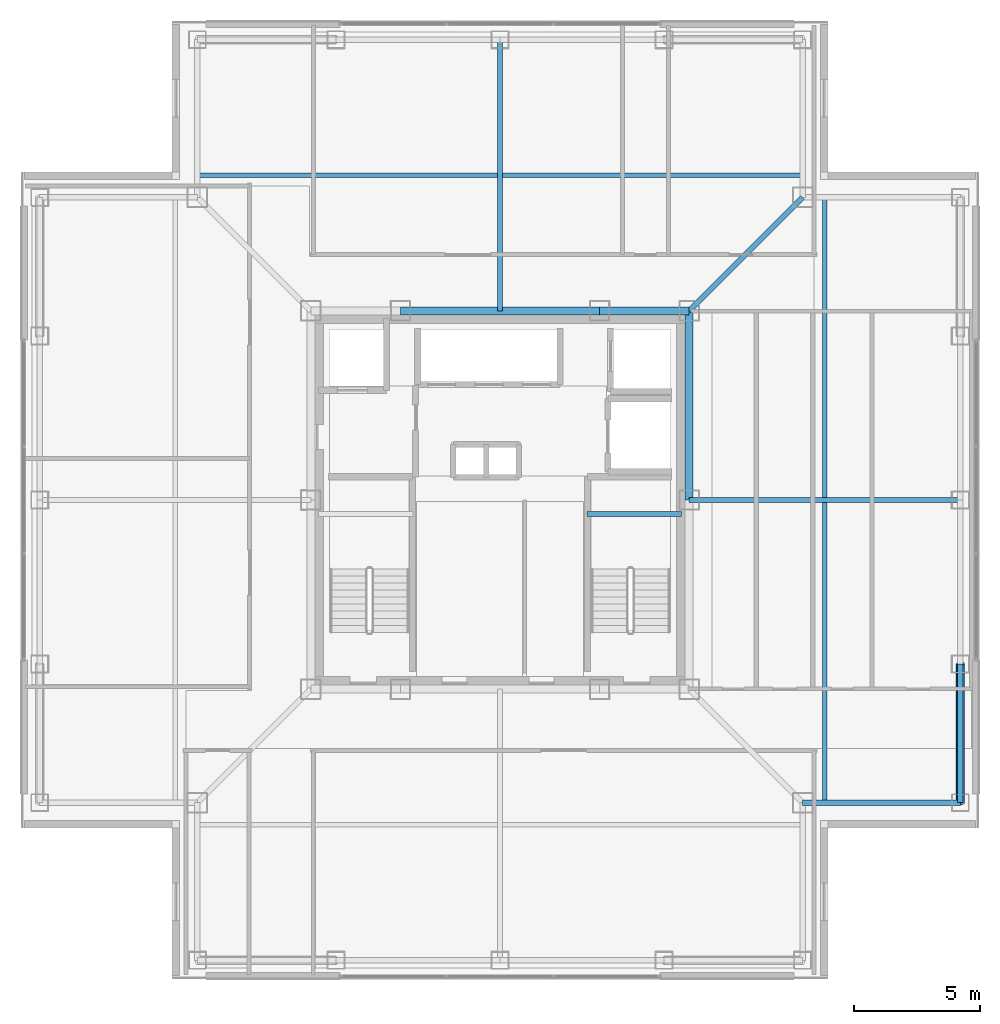
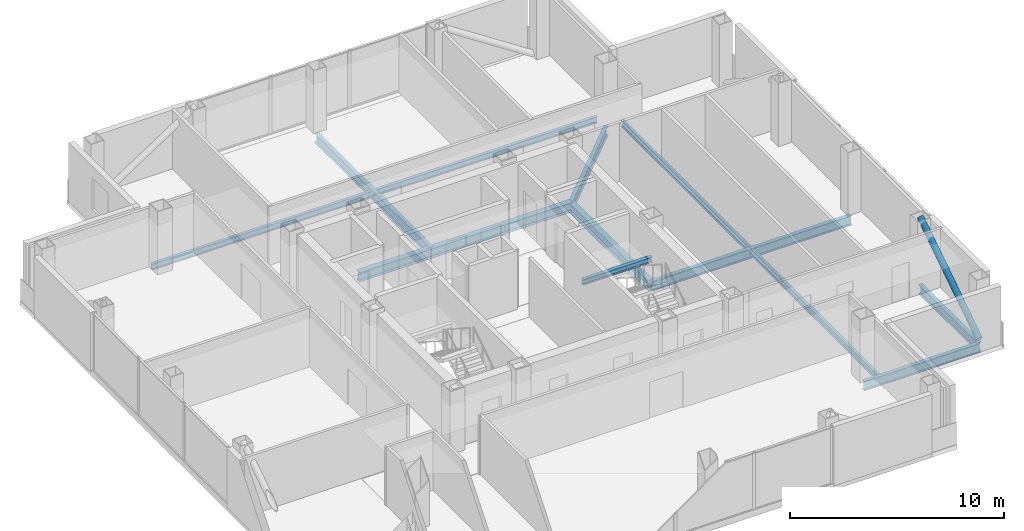
# One storey, part 5 of 16: 11 beams, 1 member.
"""IFC4 building model written with IfcOpenShell, lengths in metres."""

from ifc_helpers import new_model, si_unit, direction, frame, origin, origin_2d, place, context, subcontext, project, spatial, hollow_circle, i_section, extrude, material, material_profile, profile_set, type_object, element, save


model = new_model("IFC4")

# Units and contexts
model_context = context("Model", 3, precision=1e-05, world=origin(), true_north=direction((0.0, 1.0)))
body_context = subcontext(model_context, "Body", "Model", "MODEL_VIEW")
ifc_project = project(units=[si_unit("LENGTHUNIT", "METRE"), si_unit("AREAUNIT", "SQUARE_METRE"), si_unit("VOLUMEUNIT", "CUBIC_METRE"), si_unit("PLANEANGLEUNIT", "RADIAN"), si_unit("MASSUNIT", "GRAM", prefix="KILO")], contexts=[model_context])

# Site, building, storey
site_placement = place(None, origin())
site = spatial("IfcSite", under=ifc_project, at=site_placement, CompositionType="ELEMENT")
building_placement = place(site_placement, origin())
building = spatial("IfcBuilding", under=site, at=building_placement, Name="Trevonay Congress Spire", CompositionType="ELEMENT")
storey_placement = place(building_placement, frame((0.0, 0.0, 257.60009765625)))
storey = spatial("IfcBuildingStorey", under=building, at=storey_placement, Name="L67", CompositionType="ELEMENT", Elevation=257.60009765625)

# Beams
ifc_material_1 = material(Name="Steel ASTM A572 Grade 50", Category="steel")
ifc_material_profile_1 = material_profile(ifc_material_1, i_section(OverallWidth=0.2119140625, OverallDepth=0.5439453125, WebThickness=0.01318359375, FlangeThickness=0.021240234375, FilletRadius=0.014892578125, at=origin_2d()), Name="W530x123")
ifc_profile_set_1 = profile_set([ifc_material_profile_1], Name="Steel ASTM A572 Grade 50")
beam_type_1 = type_object("IfcBeamType", Name="BM-GIRD-W530X123", PredefinedType="BEAM", material=ifc_profile_set_1)
beam_1_placement = place(storey_placement, frame((7.5, 7.5, -0.51220703125), z_axis=(0.707106781187, 0.707106781187, 0.0), x_axis=(-0.707106781187, 0.707106781187, 0.0)))
element("IfcBeam", 1, at=beam_1_placement, inside=storey, type_object=beam_type_1, Name="L67 structural beam BM-L67-CDNE", PredefinedType="BEAM", context=body_context, shape_type="SweptSolid", body=[
    extrude(i_section(OverallWidth=0.2119140625, OverallDepth=0.5439453125, WebThickness=0.01318359375, FlangeThickness=0.021240234375, FilletRadius=0.014892578125, at=origin_2d()), origin(), (0.0, 0.0, 1.0), 6.364013671875),
])
for number, where, z_axis, x_axis, name in (
    (2, (0.0, 7.5, -0.51220703125), (0.0, 1.0, 0.0), (-1.0, 0.0, 0.0), "L67 structural beam BM-L67-GC-N"),
    (3, (7.5, 0.0, -0.51220703125), (1.0, 0.0, 0.0), (0.0, 1.0, 0.0), "L67 structural beam BM-L67-GC-E"),
):
    element("IfcBeam", number, at=place(storey_placement, frame(where, z_axis=z_axis, x_axis=x_axis)), inside=storey, type_object=beam_type_1, Name=name, PredefinedType="BEAM", context=body_context, shape_type="SweptSolid", body=[
        extrude(i_section(OverallWidth=0.2119140625, OverallDepth=0.5439453125, WebThickness=0.01318359375, FlangeThickness=0.021240234375, FilletRadius=0.014892578125, at=origin_2d()), origin(), (0.0, 0.0, 1.0), 10.75),
    ])
ifc_material_profile_2 = material_profile(ifc_material_1, i_section(OverallWidth=0.31201171875, OverallDepth=0.54296875, WebThickness=0.0126953125, FlangeThickness=0.020263671875, FilletRadius=0.014892578125, at=origin_2d()), Name="W530x150")
ifc_profile_set_2 = profile_set([ifc_material_profile_2], Name="Steel ASTM A572 Grade 50")
beam_type_2 = type_object("IfcBeamType", Name="BM-GIRD-W530X150", PredefinedType="BEAM", material=ifc_profile_set_2)
beam_2_placement = place(storey_placement, frame((-3.949951171875, 7.5, -0.51171875), z_axis=(1.0, 0.0, 0.0), x_axis=(0.0, 1.0, 0.0)))
element("IfcBeam", 4, at=beam_2_placement, inside=storey, type_object=beam_type_2, Name="L67 structural beam BM-L67-CR-N2", PredefinedType="BEAM", context=body_context, shape_type="SweptSolid", body=[
    extrude(i_section(OverallWidth=0.31201171875, OverallDepth=0.54296875, WebThickness=0.0126953125, FlangeThickness=0.020263671875, FilletRadius=0.014892578125, at=origin_2d()), origin(), (0.0, 0.0, 1.0), 7.89990234375),
])
beam_3_placement = place(storey_placement, frame((3.949951171875, 7.5, -0.51171875), z_axis=(1.0, 0.0, 0.0), x_axis=(0.0, 1.0, 0.0)))
element("IfcBeam", 5, at=beam_3_placement, inside=storey, type_object=beam_type_2, Name="L67 structural beam BM-L67-CR-N3", PredefinedType="BEAM", context=body_context, shape_type="SweptSolid", body=[
    extrude(i_section(OverallWidth=0.31201171875, OverallDepth=0.54296875, WebThickness=0.0126953125, FlangeThickness=0.020263671875, FilletRadius=0.014892578125, at=origin_2d()), origin(), (0.0, 0.0, 1.0), 3.550048828125),
])
beam_4_placement = place(storey_placement, frame((7.5, 0.0, -0.51171875), z_axis=(0.0, 1.0, 0.0), x_axis=(-1.0, 0.0, 0.0)))
element("IfcBeam", 6, at=beam_4_placement, inside=storey, type_object=beam_type_2, Name="L67 structural beam BM-L67-CR-E2", PredefinedType="BEAM", context=body_context, shape_type="SweptSolid", body=[
    extrude(i_section(OverallWidth=0.31201171875, OverallDepth=0.54296875, WebThickness=0.0126953125, FlangeThickness=0.020263671875, FilletRadius=0.014892578125, at=origin_2d()), origin(), (0.0, 0.0, 1.0), 7.5),
])
ifc_material_profile_3 = material_profile(ifc_material_1, i_section(OverallWidth=0.208984375, OverallDepth=0.532958984375, WebThickness=0.01025390625, FlangeThickness=0.015625, FilletRadius=0.014892578125, at=origin_2d()), Name="W530x92")
ifc_profile_set_3 = profile_set([ifc_material_profile_3], Name="Steel ASTM A572 Grade 50")
beam_type_3 = type_object("IfcBeamType", Name="BM-RING-W530X92", PredefinedType="BEAM", material=ifc_profile_set_3)
beam_5_placement = place(storey_placement, frame((18.25, -12.0, -0.506591796875), z_axis=(0.0, 1.0, 0.0), x_axis=(-1.0, 0.0, 0.0)))
element("IfcBeam", 7, at=beam_5_placement, inside=storey, type_object=beam_type_3, Name="L67 structural beam BM-L67-PE1", PredefinedType="BEAM", context=body_context, shape_type="SweptSolid", body=[
    extrude(i_section(OverallWidth=0.208984375, OverallDepth=0.532958984375, WebThickness=0.01025390625, FlangeThickness=0.015625, FilletRadius=0.014892578125, at=origin_2d()), origin(), (0.0, 0.0, 1.0), 5.5),
])
beam_6_placement = place(storey_placement, frame((18.25, -12.0, -0.506591796875), z_axis=(-1.0, 0.0, 0.0), x_axis=(0.0, -1.0, 0.0)))
element("IfcBeam", 8, at=beam_6_placement, inside=storey, type_object=beam_type_3, Name="L67 structural beam BM-L67-N2SE", PredefinedType="BEAM", context=body_context, shape_type="SweptSolid", body=[
    extrude(i_section(OverallWidth=0.208984375, OverallDepth=0.532958984375, WebThickness=0.01025390625, FlangeThickness=0.015625, FilletRadius=0.014892578125, at=origin_2d()), origin(), (0.0, 0.0, 1.0), 6.25),
])
ifc_material_profile_4 = material_profile(ifc_material_1, i_section(OverallWidth=0.172119140625, OverallDepth=0.35791015625, WebThickness=0.0078125, FlangeThickness=0.01318359375, FilletRadius=0.011962890625, at=origin_2d()), Name="W360x57.8")
ifc_profile_set_4 = profile_set([ifc_material_profile_4], Name="Steel ASTM A572 Grade 50")
beam_type_4 = type_object("IfcBeamType", Name="JS-COMP-W360X57", PredefinedType="JOIST", material=ifc_profile_set_4)
for number, where, z_axis, x_axis, name in (
    (9, (-12.0, 12.875, -0.419189453125), (1.0, 0.0, 0.0), (0.0, 1.0, 0.0), "L67 structural beam JS-L67-RING-N"),
    (10, (12.875, -12.0, -0.419189453125), (0.0, 1.0, 0.0), (-1.0, 0.0, 0.0), "L67 structural beam JS-L67-RING-E"),
):
    element("IfcBeam", number, at=place(storey_placement, frame(where, z_axis=z_axis, x_axis=x_axis)), inside=storey, type_object=beam_type_4, Name=name, PredefinedType="JOIST", context=body_context, shape_type="SweptSolid", body=[
        extrude(i_section(OverallWidth=0.172119140625, OverallDepth=0.35791015625, WebThickness=0.0078125, FlangeThickness=0.01318359375, FilletRadius=0.011962890625, at=origin_2d()), origin(), (0.0, 0.0, 1.0), 24.0),
    ])
ifc_material_profile_5 = material_profile(ifc_material_1, i_section(OverallWidth=0.2041015625, OverallDepth=0.305908203125, WebThickness=0.008544921875, FlangeThickness=0.0146484375, FilletRadius=0.010986328125, at=origin_2d()), Name="W310x67")
ifc_profile_set_5 = profile_set([ifc_material_profile_5], Name="Steel ASTM A572 Grade 50")
beam_type_5 = type_object("IfcBeamType", Name="LN-CORE-W310X67", PredefinedType="LINTEL", material=ifc_profile_set_5)
beam_7_placement = place(storey_placement, frame((3.449951171875, -0.550048828125, 1.447021484375), z_axis=(1.0, 0.0, 0.0), x_axis=(0.0, 1.0, 0.0)))
element("IfcBeam", 11, at=beam_7_placement, inside=storey, type_object=beam_type_5, Name="L67 structural beam BM-L67-HL-ST2", PredefinedType="LINTEL", context=body_context, shape_type="SweptSolid", body=[
    extrude(i_section(OverallWidth=0.2041015625, OverallDepth=0.305908203125, WebThickness=0.008544921875, FlangeThickness=0.0146484375, FilletRadius=0.010986328125, at=origin_2d()), origin(), (0.0, 0.0, 1.0), 3.75),
])

# Member
ifc_material_2 = material(Name="Steel ASTM A500 Grade C", Category="steel")
ifc_material_profile_6 = material_profile(ifc_material_2, hollow_circle(Radius=0.161865234375, WallThickness=0.01611328125, at=origin_2d()), Name="CHS 323.9x16")
ifc_profile_set_6 = profile_set([ifc_material_profile_6], Name="Steel ASTM A500 Grade C")
member_type = type_object("IfcMemberType", Name="MBR-TUBE-CHS324", PredefinedType="BRACE", material=ifc_profile_set_6)
member_placement = place(storey_placement, frame((18.25, -12.0, -0.050048828125), z_axis=(0.0, 0.836711728151, 0.547643573845), x_axis=(-1.0, 0.0, 0.0)))
element("IfcMember", 12, at=member_placement, inside=storey, type_object=member_type, Name="L67 perimeter braced-tube diagonal E0", PredefinedType="BRACE", context=body_context, shape_type="SweptSolid", body=[
    extrude(hollow_circle(Radius=0.161865234375, WallThickness=0.01611328125, at=origin_2d()), origin(), (0.0, 0.0, 1.0), 6.5732421875),
])

save(model, "model.ifc")
